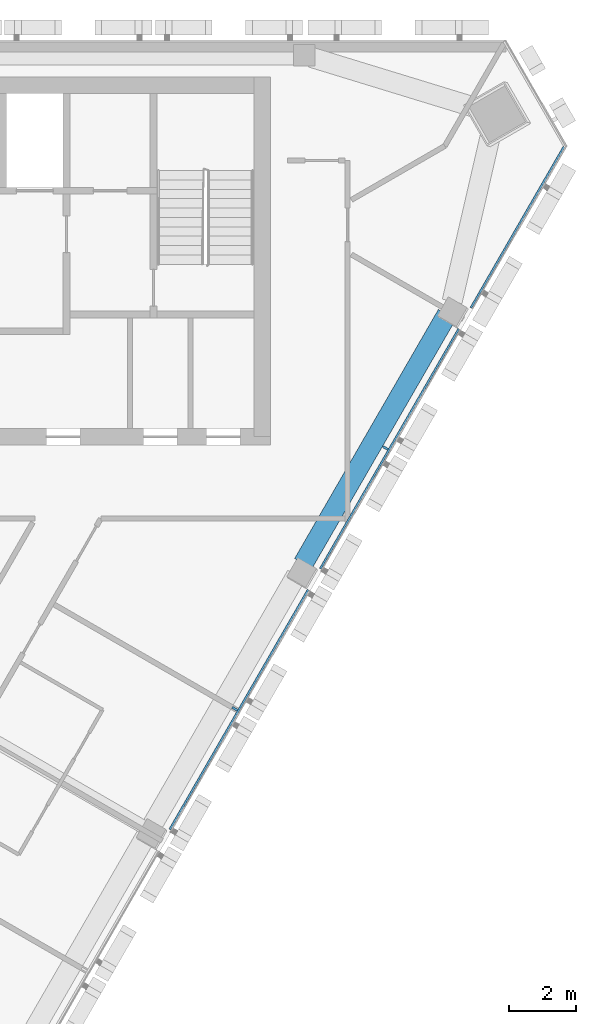
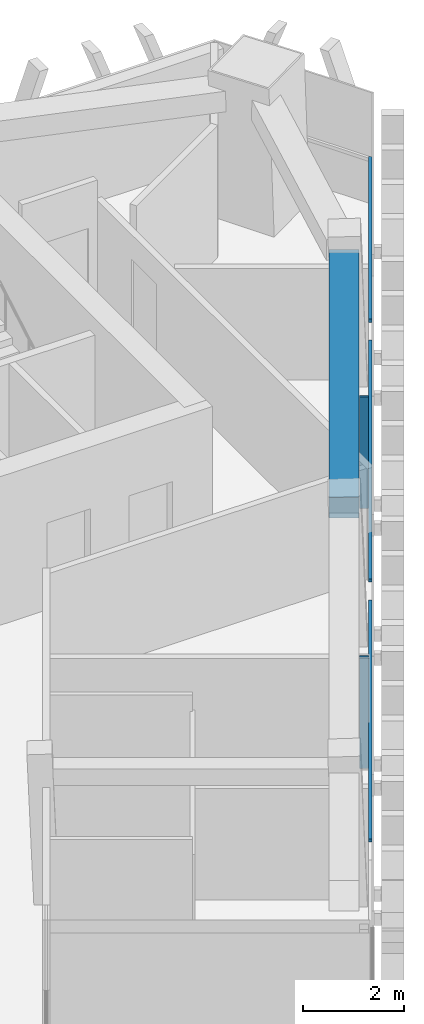
# One storey, part 4 of 12: 5 members, 1 beam, 1 element without a shape of its own.
"""IFC4 building model written with IfcOpenShell, lengths in metres."""

from ifc_helpers import new_model, si_unit, direction, frame, origin, origin_2d, place, context, subcontext, project, spatial, rectangle, extrude, material, layer, layer_set, material_profile, profile_set, type_object, element, aggregate, save


model = new_model("IFC4")

# Units and contexts
model_context = context("Model", 3, precision=1e-05, world=origin(), true_north=direction((0.0, 1.0)))
body_context = subcontext(model_context, "Body", "Model", "MODEL_VIEW")
ifc_project = project(units=[si_unit("LENGTHUNIT", "METRE"), si_unit("AREAUNIT", "SQUARE_METRE"), si_unit("VOLUMEUNIT", "CUBIC_METRE"), si_unit("PLANEANGLEUNIT", "RADIAN"), si_unit("MASSUNIT", "GRAM", prefix="KILO")], contexts=[model_context])

# Site, building, storey
site_placement = place(None, origin())
site = spatial("IfcSite", under=ifc_project, at=site_placement, CompositionType="ELEMENT")
building_placement = place(site_placement, origin())
building = spatial("IfcBuilding", under=site, at=building_placement, Name="Altiplano Prism Tower", CompositionType="ELEMENT")
storey_placement = place(building_placement, frame((0.0, 0.0, 323.800048828125)))
storey = spatial("IfcBuildingStorey", under=building, at=storey_placement, Name="L84", CompositionType="ELEMENT", Elevation=323.800048828125)

# Curtain wall, members
ifc_material_1 = material(Name="Aluminium and glass", Category="aluminium")
ifc_layer = layer(ifc_material_1, 0.280029296875)
ifc_layer_set = layer_set([ifc_layer], Name="Aluminium and glass")
curtain_wall_type = type_object("IfcCurtainWallType", Name="CW1 typical co-living unitised curtain wall", PredefinedType="NOTDEFINED", material=ifc_layer_set)
curtain_wall_placement = place(storey_placement, origin())
curtain_wall = element("IfcCurtainWall", 1, at=curtain_wall_placement, inside=storey, type_object=curtain_wall_type, Name="CW1 curtain wall south-east face L84", PredefinedType="NOTDEFINED")
ifc_material_2 = material(Name="Aluminium", Category="aluminium")
ifc_material_profile_1 = material_profile(ifc_material_2, rectangle(XDim=0.179931640625, YDim=0.06494140625, at=origin_2d()), Name="CW1 mullion 65 x 180")
ifc_profile_set_1 = profile_set([ifc_material_profile_1], Name="Aluminium")
member_type_1 = type_object("IfcMemberType", Name="CW1 mullion 65 x 180", PredefinedType="MULLION", material=ifc_profile_set_1)
member_1_placement = place(storey_placement, frame((96.42724609375, 85.017333984375, 0.0), z_axis=(0.0, 0.0, 1.0), x_axis=(-0.866025408785, 0.499999991339, 0.0)))
member_1 = element("IfcMember", 2, at=member_1_placement, type_object=member_type_1, Name="CW1 mullion", PredefinedType="MULLION", context=body_context, shape_type="SweptSolid", body=[
    extrude(rectangle(XDim=0.179931640625, YDim=0.06494140625, at=origin_2d()), origin(), (0.0, 0.0, 1.0), 2.699951171875),
])
member_2_placement = place(storey_placement, frame((100.92724609375, 92.8115234375, 0.0), z_axis=(0.0, 0.0, 1.0), x_axis=(-0.866025408785, 0.499999991339, 0.0)))
member_2 = element("IfcMember", 3, at=member_2_placement, type_object=member_type_1, Name="CW1 mullion", PredefinedType="MULLION", context=body_context, shape_type="SweptSolid", body=[
    extrude(rectangle(XDim=0.179931640625, YDim=0.06494140625, at=origin_2d()), origin(), (0.0, 0.0, 1.0), 2.699951171875),
])
ifc_material_profile_2 = material_profile(ifc_material_2, rectangle(XDim=0.06005859375, YDim=0.080078125, at=origin_2d()), Name="CW1 transom 80 x 60")
ifc_profile_set_2 = profile_set([ifc_material_profile_2], Name="Aluminium")
member_type_2 = type_object("IfcMemberType", Name="CW1 transom 80 x 60", PredefinedType="USERDEFINED", material=ifc_profile_set_2)
member_3_placement = place(storey_placement, frame((94.4833984375, 81.41064453125, 1.099853515625), z_axis=(0.50000951748, 0.866019908795, 0.0), x_axis=(-0.866019908795, 0.50000951748, 0.0)))
member_3 = element("IfcMember", 4, at=member_3_placement, type_object=member_type_2, Name="CW1 transom", ObjectType="TRANSOM", PredefinedType="USERDEFINED", context=body_context, shape_type="SweptSolid", body=[
    extrude(rectangle(XDim=0.06005859375, YDim=0.080078125, at=origin_2d()), origin(), (0.0, 0.0, 1.0), 8.269775390625),
])
member_4_placement = place(storey_placement, frame((98.9833984375, 89.204833984375, 1.099853515625), z_axis=(0.50000951748, 0.866019908795, 0.0), x_axis=(-0.866019908795, 0.50000951748, 0.0)))
member_4 = element("IfcMember", 5, at=member_4_placement, type_object=member_type_2, Name="CW1 transom", ObjectType="TRANSOM", PredefinedType="USERDEFINED", context=body_context, shape_type="SweptSolid", body=[
    extrude(rectangle(XDim=0.06005859375, YDim=0.080078125, at=origin_2d()), origin(), (0.0, 0.0, 1.0), 8.269775390625),
])
member_5_placement = place(storey_placement, frame((103.4833984375, 96.9990234375, 1.099853515625), z_axis=(0.500004234368, 0.866022959057, 0.0), x_axis=(-0.866022959057, 0.500004234368, 0.0)))
member_5 = element("IfcMember", 6, at=member_5_placement, type_object=member_type_2, Name="CW1 transom", ObjectType="TRANSOM", PredefinedType="USERDEFINED", context=body_context, shape_type="SweptSolid", body=[
    extrude(rectangle(XDim=0.06005859375, YDim=0.080078125, at=origin_2d()), origin(), (0.0, 0.0, 1.0), 5.625),
])
aggregate(curtain_wall, [member_1, member_3, member_2, member_4, member_5])

# Beam
ifc_material_3 = material(Name="Concrete C60/75", Category="concrete")
ifc_material_profile_3 = material_profile(ifc_material_3, rectangle(XDim=0.60009765625, YDim=0.5, at=origin_2d()), Name="Edge beam 600x500")
ifc_profile_set_3 = profile_set([ifc_material_profile_3], Name="Concrete C60/75")
beam_type = type_object("IfcBeamType", Name="Edge beam 600x500", PredefinedType="SPANDREL", material=ifc_profile_set_3)
beam_placement = place(storey_placement, frame((98.474609375, 89.360595703125, 2.949951171875), z_axis=(0.499990619765, 0.866030819398, 0.0), x_axis=(-0.866030819398, 0.499990619765, 0.0)))
element("IfcBeam", 7, at=beam_placement, inside=storey, type_object=beam_type, Name="Edge beam P23-P24 L85", PredefinedType="SPANDREL", context=body_context, shape_type="SweptSolid", body=[
    extrude(rectangle(XDim=0.60009765625, YDim=0.5, at=origin_2d()), origin(), (0.0, 0.0, 1.0), 8.590087890625),
])

save(model, "model.ifc")
